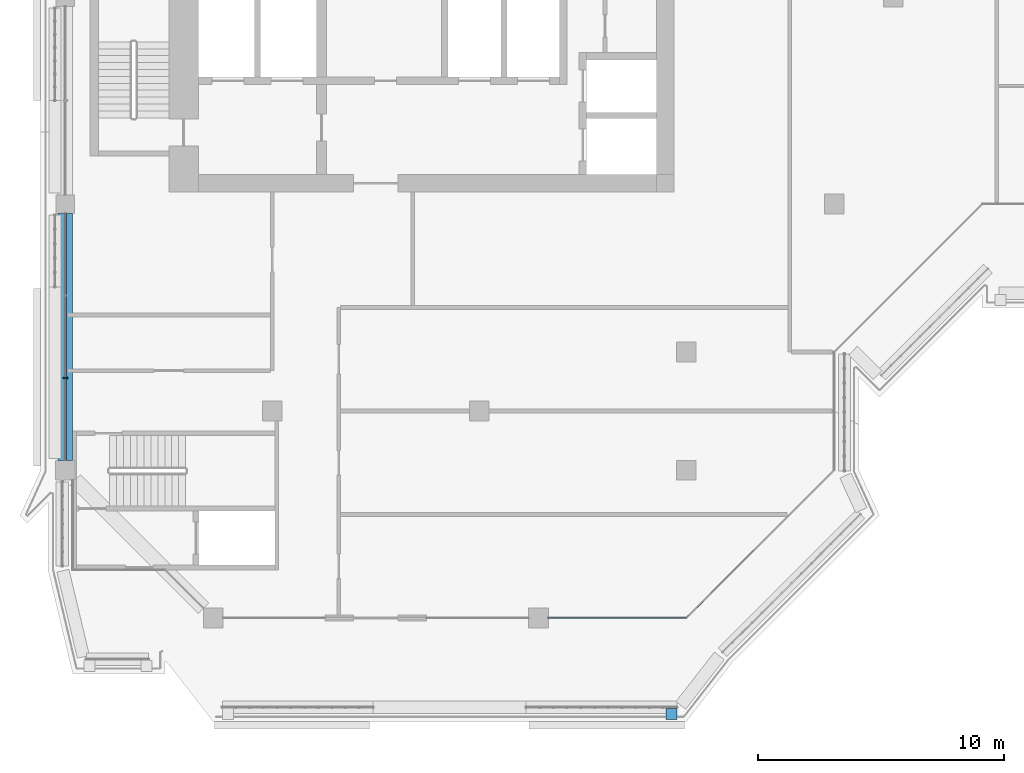
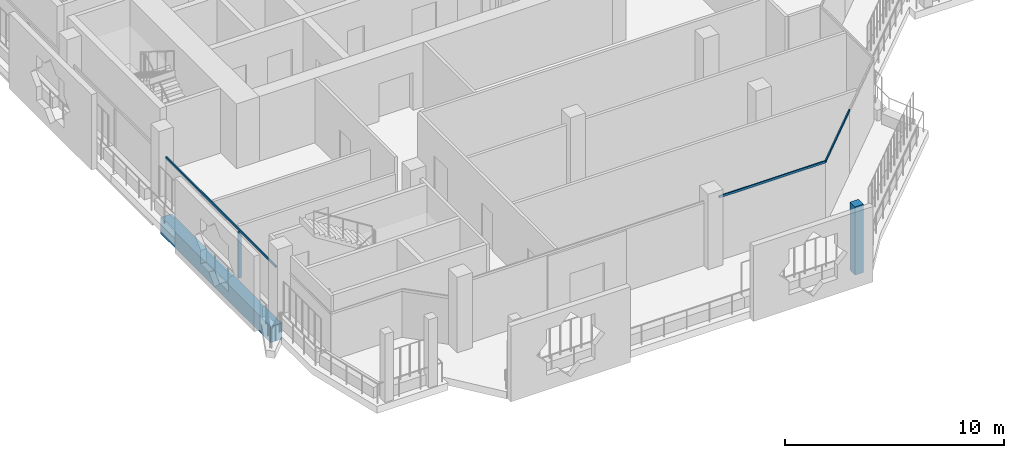
# One storey, part 2 of 21: 5 members, 1 beam, 4 elements without a shape of their own.
"""IFC4 building model written with IfcOpenShell, lengths in metres."""

from ifc_helpers import new_model, si_unit, direction, frame, origin, origin_2d, place, context, subcontext, project, spatial, rectangle, extrude, material, layer, layer_set, material_profile, profile_set, type_object, element, aggregate, save


model = new_model("IFC4")

# Units and contexts
model_context = context("Model", 3, precision=1e-05, world=origin(), true_north=direction((0.0, 1.0)))
body_context = subcontext(model_context, "Body", "Model", "MODEL_VIEW")
ifc_project = project(units=[si_unit("LENGTHUNIT", "METRE"), si_unit("AREAUNIT", "SQUARE_METRE"), si_unit("VOLUMEUNIT", "CUBIC_METRE"), si_unit("PLANEANGLEUNIT", "RADIAN"), si_unit("MASSUNIT", "GRAM", prefix="KILO")], contexts=[model_context])

# Site, building, storey
site_placement = place(None, origin())
site = spatial("IfcSite", under=ifc_project, at=site_placement, CompositionType="ELEMENT")
building_placement = place(site_placement, origin())
building = spatial("IfcBuilding", under=site, at=building_placement, Name="Kawkab Arch Medical Tower", CompositionType="ELEMENT")
storey_placement = place(building_placement, frame((0.0, 0.0, 311.199951171875)))
storey = spatial("IfcBuildingStorey", under=building, at=storey_placement, Name="L72", CompositionType="ELEMENT", Elevation=311.199951171875)

# Curtain wall, members
ifc_material_1 = material(Name="Bronze anodised aluminium curtain wall frame", Category="aluminium")
ifc_layer_1 = layer(ifc_material_1, 0.159912109375)
ifc_layer_set_1 = layer_set([ifc_layer_1], Name="Bronze anodised aluminium curtain wall frame")
curtain_wall_type_1 = type_object("IfcCurtainWallType", Name="CW1 ward curtain wall", PredefinedType="NOTDEFINED", material=ifc_layer_set_1)
placement = place(storey_placement, origin())
curtain_wall_1 = element("IfcCurtainWall", 1, at=placement, inside=storey, type_object=curtain_wall_type_1, Name="CW1 Ward curtain wall R02", PredefinedType="NOTDEFINED")
ifc_material_2 = material(Name="Bronze anodised aluminium curtain wall frame", Category="aluminium")
ifc_material_profile_1 = material_profile(ifc_material_2, rectangle(XDim=0.179931640625, YDim=0.06005859375, at=origin_2d()), Name="AL 60x180")
ifc_profile_set_1 = profile_set([ifc_material_profile_1], Name="Bronze anodised aluminium curtain wall frame")
member_type_1 = type_object("IfcMemberType", Name="CW1 mullion 60 x 180", PredefinedType="MULLION", material=ifc_profile_set_1)
member_1_placement = place(storey_placement, frame((0.0, -32.25830078125, 0.0), z_axis=(0.0, 0.0, 1.0), x_axis=(1.0, 0.0, 0.0)))
member_1 = element("IfcMember", 2, at=member_1_placement, type_object=member_type_1, Name="CW1 mullion 3.2", PredefinedType="MULLION", context=body_context, shape_type="SweptSolid", body=[
    extrude(rectangle(XDim=0.179931640625, YDim=0.06005859375, at=origin_2d()), origin(), (0.0, 0.0, 1.0), 2.580078125),
])
ifc_material_3 = material(Name="Bronze anodised aluminium curtain wall frame", Category="aluminium")
ifc_material_profile_2 = material_profile(ifc_material_3, rectangle(XDim=0.06005859375, YDim=0.1201171875, at=origin_2d()), Name="AL 60x120")
ifc_profile_set_2 = profile_set([ifc_material_profile_2], Name="Bronze anodised aluminium curtain wall frame")
member_type_2 = type_object("IfcMemberType", Name="CW1 transom 120 x 60", PredefinedType="USERDEFINED", material=ifc_profile_set_2)
member_2_placement = place(storey_placement, frame((0.0, -25.574951171875, 2.64013671875), z_axis=(0.0, -1.0, 0.0), x_axis=(1.0, 0.0, 0.0)))
member_2 = element("IfcMember", 3, at=member_2_placement, type_object=member_type_2, Name="CW1 transom 3", ObjectType="TRANSOM", PredefinedType="USERDEFINED", context=body_context, shape_type="SweptSolid", body=[
    extrude(rectangle(XDim=0.06005859375, YDim=0.1201171875, at=origin_2d()), origin(), (0.0, 0.0, 1.0), 10.025146484375),
])
aggregate(curtain_wall_1, [member_2, member_1])

# Curtain wall, member
curtain_wall_2 = element("IfcCurtainWall", 4, at=placement, inside=storey, type_object=curtain_wall_type_1, Name="CW1 Ward curtain wall R07", PredefinedType="NOTDEFINED")
member_3_placement = place(storey_placement, frame((19.60009765625, -42.0, 3.5400390625), z_axis=(1.0, 0.0, 0.0), x_axis=(0.0, 1.0, 0.0)))
member_3 = element("IfcMember", 5, at=member_3_placement, type_object=member_type_2, Name="CW1 transom 2", ObjectType="TRANSOM", PredefinedType="USERDEFINED", context=body_context, shape_type="SweptSolid", body=[
    extrude(rectangle(XDim=0.06005859375, YDim=0.1201171875, at=origin_2d()), origin(), (0.0, 0.0, 1.0), 5.599853515625),
])
aggregate(curtain_wall_2, [member_3])

ifc_material_4 = material(Name="Bronze anodised aluminium curtain wall frame", Category="aluminium")
ifc_layer_2 = layer(ifc_material_4, 0.159912109375)
ifc_layer_set_2 = layer_set([ifc_layer_2], Name="Bronze anodised aluminium curtain wall frame")
curtain_wall_type_2 = type_object("IfcCurtainWallType", Name="CW2 chamfer curtain wall", PredefinedType="NOTDEFINED", material=ifc_layer_set_2)
curtain_wall_3 = element("IfcCurtainWall", 6, at=placement, inside=storey, type_object=curtain_wall_type_2, Name="CW2 Chamfer curtain wall R08", PredefinedType="NOTDEFINED")
ifc_material_5 = material(Name="Bronze anodised aluminium curtain wall frame", Category="aluminium")
ifc_material_profile_3 = material_profile(ifc_material_5, rectangle(XDim=0.06005859375, YDim=0.139892578125, at=origin_2d()), Name="AL 60x140")
ifc_profile_set_3 = profile_set([ifc_material_profile_3], Name="Bronze anodised aluminium curtain wall frame")
member_type_3 = type_object("IfcMemberType", Name="CW2 transom 140 x 60", PredefinedType="USERDEFINED", material=ifc_profile_set_3)
member_4_placement = place(storey_placement, frame((25.199951171875, -42.0, 3.530029296875), z_axis=(0.707106781187, 0.707106781187, 0.0), x_axis=(-0.707106781187, 0.707106781187, 0.0)))
member_4 = element("IfcMember", 7, at=member_4_placement, type_object=member_type_3, Name="CW2 transom 1", ObjectType="TRANSOM", PredefinedType="USERDEFINED", context=body_context, shape_type="SweptSolid", body=[
    extrude(rectangle(XDim=0.06005859375, YDim=0.139892578125, at=origin_2d()), origin(), (0.0, 0.0, 1.0), 4.24267578125),
])
aggregate(curtain_wall_3, [member_4])

ifc_material_6 = material(Name="Bronze anodised aluminium climber frame, planted", Category="aluminium")
ifc_layer_3 = layer(ifc_material_6, 0.449951171875)
ifc_layer_set_3 = layer_set([ifc_layer_3], Name="Bronze anodised aluminium climber frame, planted")
curtain_wall_type_3 = type_object("IfcCurtainWallType", Name="Planted climber frame", PredefinedType="NOTDEFINED", material=ifc_layer_set_3)
curtain_wall_4 = element("IfcCurtainWall", 8, at=placement, inside=storey, type_object=curtain_wall_type_3, Name="Planted climber frame L72", PredefinedType="NOTDEFINED")
ifc_material_7 = material(Name="Bronze anodised aluminium climber frame, planted", Category="aluminium")
ifc_material_profile_4 = material_profile(ifc_material_7, rectangle(XDim=0.449951171875, YDim=0.449951171875, at=origin_2d()), Name="Post 450x450")
ifc_profile_set_4 = profile_set([ifc_material_profile_4], Name="Bronze anodised aluminium climber frame, planted")
member_type_4 = type_object("IfcMemberType", Name="Planted climber post 450 x 450", PredefinedType="MULLION", material=ifc_profile_set_4)
member_5_placement = place(storey_placement, frame((24.60302734375, -45.89990234375, 0.0), z_axis=(0.0, 0.0, 1.0), x_axis=(1.0, 0.0, 0.0)))
member_5 = element("IfcMember", 9, at=member_5_placement, type_object=member_type_4, Name="Planted climber post L72.LOG-01-01.7", PredefinedType="MULLION", context=body_context, shape_type="SweptSolid", body=[
    extrude(rectangle(XDim=0.449951171875, YDim=0.449951171875, at=origin_2d()), origin(), (0.0, 0.0, 1.0), 3.800048828125),
])
aggregate(curtain_wall_4, [member_5])

# Beam
ifc_material_8 = material(Name="Concrete C40/50", Category="concrete")
ifc_material_profile_5 = material_profile(ifc_material_8, rectangle(XDim=0.60009765625, YDim=0.89990234375, at=origin_2d()), Name="RC 600x900")
ifc_profile_set_5 = profile_set([ifc_material_profile_5], Name="Concrete C40/50")
beam_type = type_object("IfcBeamType", Name="RC 600x900 beam C40/50", PredefinedType="BEAM", material=ifc_profile_set_5)
beam_placement = place(storey_placement, frame((0.0, -35.60009765625, -1.050048828125), z_axis=(0.0, 1.0, 0.0), x_axis=(-1.0, 0.0, 0.0)))
element("IfcBeam", 10, at=beam_placement, inside=storey, type_object=beam_type, Name="Overhang edge beam L72-03", PredefinedType="BEAM", context=body_context, shape_type="SweptSolid", body=[
    extrude(rectangle(XDim=0.60009765625, YDim=0.89990234375, at=origin_2d()), origin(), (0.0, 0.0, 1.0), 10.025146484375),
])

save(model, "model.ifc")
